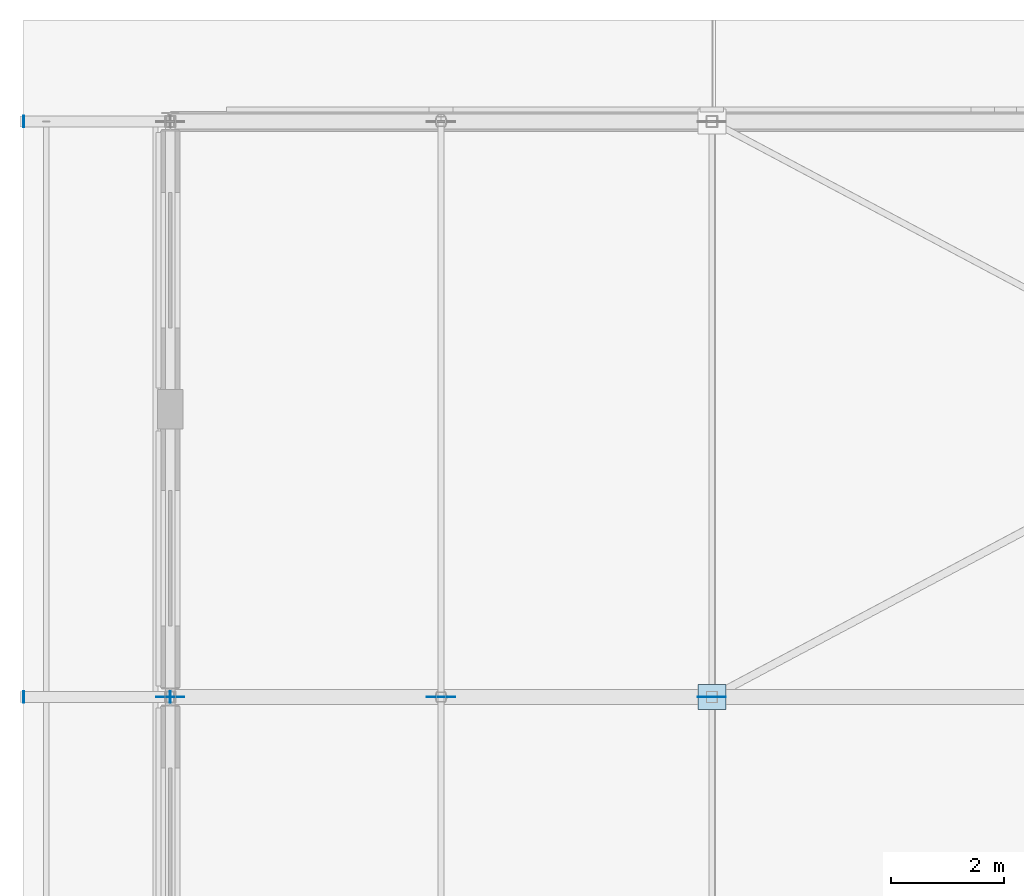
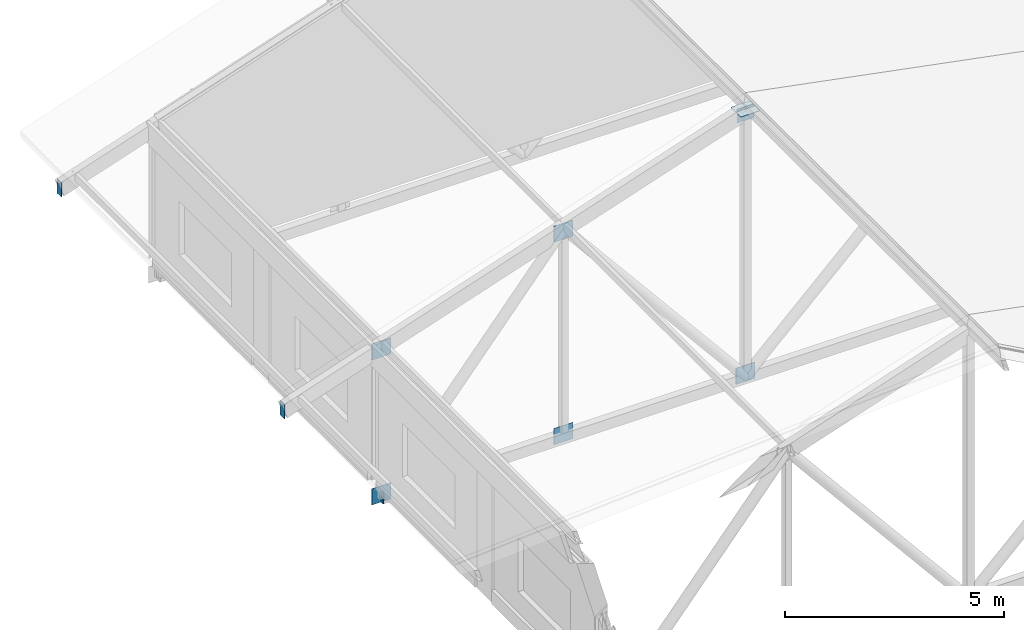
# One storey, part 162 of 200: 10 plates.
"""IFC4 building model written with IfcOpenShell, lengths in metres."""

import ifcopenshell
import ifcopenshell.guid

model = None  # the IFC model being written
_history = None  # IfcOwnerHistory: only IFC2X3 demands one
_inside = {}  # id of a spatial element -> (the spatial element, [elements in it])
_under = {}  # id of a project, library or spatial element -> (it, [spatial elements below it])
_declared = {}  # id of a project -> (the project, [libraries it declares])
_typed = {}  # id of a type object -> (the type object, [elements of that type])
_made_of = {}  # id of a material, layer set ... -> (it, [elements and type objects made of it])


def new_model(schema):
    """Start an empty IFC model of exactly this schema.

    Asked for "IFC4X3", IfcOpenShell would pick the latest addendum, in which some entities
    have other attributes; the version numbers below select the first issue.
    IFC2X3 requires an IfcOwnerHistory on every rooted entity: one is made here for all.
    """
    global model, _history
    if schema == "IFC4X3":
        model = ifcopenshell.file(schema_version=(4, 3, 0, 0))
    else:
        model = ifcopenshell.file(schema=schema)
    _inside.clear()
    _under.clear()
    _declared.clear()
    _typed.clear()
    _made_of.clear()
    _history = None
    if model.schema == "IFC2X3":
        org = make("IfcOrganization", Name="unknown")
        user = make(
            "IfcPersonAndOrganization",
            ThePerson=make("IfcPerson", FamilyName="unknown"),
            TheOrganization=org,
        )
        app = make(
            "IfcApplication",
            ApplicationDeveloper=org,
            Version="unknown",
            ApplicationFullName="unknown",
            ApplicationIdentifier="unknown",
        )
        _history = make(
            "IfcOwnerHistory",
            OwningUser=user,
            OwningApplication=app,
            ChangeAction="ADDED",
            CreationDate=0,
        )
    return model


def make(cls, **values):
    """One entity of the class cls with the attributes given. An attribute that is None is left unset."""
    return model.create_entity(
        cls, **{name: value for name, value in values.items() if value is not None}
    )


def rooted(cls, **values):
    """An entity with a GlobalId (a new one), such as an element, a storey or a relation."""
    return make(cls, GlobalId=ifcopenshell.guid.new(), OwnerHistory=_history, **values)


def si_unit(unit_type, name, prefix=None):
    """IfcSIUnit, for example si_unit("LENGTHUNIT", "METRE", prefix="MILLI")."""
    return make("IfcSIUnit", UnitType=unit_type, Prefix=prefix, Name=name)


def assignment(units):
    """IfcUnitAssignment: the units of a project."""
    return None if units is None else make("IfcUnitAssignment", Units=units)


def point(xyz):
    """IfcCartesianPoint."""
    return None if xyz is None else make("IfcCartesianPoint", Coordinates=xyz)


def direction(xyz):
    """IfcDirection."""
    return None if xyz is None else make("IfcDirection", DirectionRatios=xyz)


def frame(location, z_axis=None, x_axis=None):
    """IfcAxis2Placement3D, a coordinate frame: its origin and axes. An axis left out is left unset."""
    return make(
        "IfcAxis2Placement3D",
        Location=point(location),
        Axis=direction(z_axis),
        RefDirection=direction(x_axis),
    )


def frame_2d(location, x_axis=None):
    """IfcAxis2Placement2D, a coordinate frame in the plane: its origin and x axis."""
    return make(
        "IfcAxis2Placement2D", Location=point(location), RefDirection=direction(x_axis)
    )


def origin():
    """The frame at (0, 0, 0) with its axes left unset."""
    return frame((0.0, 0.0, 0.0))


def origin_2d():
    """The frame at (0, 0) in the plane with its x axis left unset."""
    return frame_2d((0.0, 0.0))


def place(relative_to, where):
    """IfcLocalPlacement: puts the frame where relative to a parent placement (None: the world)."""
    return make(
        "IfcLocalPlacement", PlacementRelTo=relative_to, RelativePlacement=where
    )


def context(
    kind, dimensions, precision=None, world=None, true_north=None, identifier=None
):
    """IfcGeometricRepresentationContext, for example the 3D "Model" context."""
    return make(
        "IfcGeometricRepresentationContext",
        ContextIdentifier=identifier,
        ContextType=kind,
        CoordinateSpaceDimension=dimensions,
        Precision=precision,
        WorldCoordinateSystem=world,
        TrueNorth=true_north,
    )


def subcontext(parent, identifier, kind, view, scale=None):
    """IfcGeometricRepresentationSubContext, for example "Body" below "Model"."""
    return make(
        "IfcGeometricRepresentationSubContext",
        ContextIdentifier=identifier,
        ContextType=kind,
        ParentContext=parent,
        TargetScale=scale,
        TargetView=view,
    )


def project(units=None, contexts=None):
    """IfcProject with its units and contexts."""
    return rooted(
        "IfcProject",
        Name="project",
        RepresentationContexts=contexts,
        UnitsInContext=assignment(units),
    )


def spatial(cls, under=None, at=None, **own):
    """A site, building, storey or space (cls), placed at a placement, below another one or the project."""
    s = rooted(cls, ObjectPlacement=at, **own)
    if under is not None:
        _under.setdefault(under.id(), (under, []))[1].append(s)
    return s


def profile(cls, at=None, kind="AREA", **sizes):
    """A parametric profile (cls). Its sizes go by their IFC names, for example OverallWidth=200.0."""
    return make(cls, ProfileType=kind, Position=at, **sizes)


def rectangle(**sizes):
    """IfcRectangleProfileDef."""
    return profile("IfcRectangleProfileDef", **sizes)


def extrude(swept, where, along, depth):
    """IfcExtrudedAreaSolid: the profile swept, set in the frame where, extruded along a direction by depth."""
    return make(
        "IfcExtrudedAreaSolid",
        SweptArea=swept,
        Position=where,
        ExtrudedDirection=direction(along),
        Depth=depth,
    )


def shape(context_of_items, identifier, shape_type, items):
    """IfcShapeRepresentation: the items that make up one representation, for example the "Body"."""
    return make(
        "IfcShapeRepresentation",
        ContextOfItems=context_of_items,
        RepresentationIdentifier=identifier,
        RepresentationType=shape_type,
        Items=items,
    )


def material(Name=None, Category=None):
    """IfcMaterial."""
    return make("IfcMaterial", Name=Name, Category=Category)


def layer(
    of_material, thickness, ventilated=None, Name=None, Category=None, Priority=None
):
    """IfcMaterialLayer: one layer of a wall or slab, of a material (None: an air gap)."""
    return make(
        "IfcMaterialLayer",
        Material=of_material,
        LayerThickness=thickness,
        IsVentilated=ventilated,
        Name=Name,
        Category=Category,
        Priority=Priority,
    )


def layer_set(layers, Name=None):
    """IfcMaterialLayerSet."""
    return make("IfcMaterialLayerSet", MaterialLayers=layers, LayerSetName=Name)


def made_of(thing, what):
    """Note that an element or type object is made of a material, layer set ...; save() writes the relation."""
    if what is not None:
        _made_of.setdefault(what.id(), (what, []))[1].append(thing)
    return thing


def type_object(cls, material=None, **own):
    """A type object (cls), such as IfcWallType, which elements share."""
    return made_of(rooted(cls, **own), material)


def element(
    cls,
    number,
    at=None,
    inside=None,
    cuts=None,
    type_object=None,
    material=None,
    context=None,
    identifier="Body",
    shape_type=None,
    held_by="IfcProductDefinitionShape",
    body=None,
    shapes=None,
    **own,
):
    """One element of the class cls, such as IfcWall. Its Tag is "e" and its number.

    at: its placement. inside: the storey or other place that contains it. cuts: it is an
    opening in that element (IfcRelVoidsElement). A single representation is given by context,
    identifier, shape_type and body (its items); several are given by shapes. held_by: the class
    of the entity that holds the representations. save() writes the other relations.
    """
    e = rooted(cls, Tag="e%d" % number, ObjectPlacement=at, **own)
    if body is not None:
        shapes = [shape(context, identifier, shape_type, body)]
    if shapes is not None:
        e.Representation = make(held_by, Representations=shapes)
    if inside is not None:
        _inside.setdefault(inside.id(), (inside, []))[1].append(e)
    if cuts is not None:
        rooted(
            "IfcRelVoidsElement", RelatingBuildingElement=cuts, RelatedOpeningElement=e
        )
    if type_object is not None:
        _typed.setdefault(type_object.id(), (type_object, []))[1].append(e)
    return made_of(e, material)


def aggregate(whole, parts):
    """IfcRelAggregates: a whole, such as a stair, and the parts it consists of."""
    return rooted("IfcRelAggregates", RelatingObject=whole, RelatedObjects=parts)


def save(model, path):
    """Write the relations noted so far, then the file.

    IfcRelAggregates (storeys below a building ...), IfcRelContainedInSpatialStructure (elements
    in a storey), IfcRelDefinesByType, IfcRelAssociatesMaterial and IfcRelDeclares: one each for
    every whole, place, type object, material and project.
    """
    for whole, parts in _under.values():
        aggregate(whole, parts)
    for where, things in _inside.values():
        rooted(
            "IfcRelContainedInSpatialStructure",
            RelatedElements=things,
            RelatingStructure=where,
        )
    for kind, things in _typed.values():
        rooted("IfcRelDefinesByType", RelatedObjects=things, RelatingType=kind)
    for what, things in _made_of.values():
        rooted("IfcRelAssociatesMaterial", RelatedObjects=things, RelatingMaterial=what)
    for by, libraries in _declared.values():
        rooted("IfcRelDeclares", RelatingContext=by, RelatedDefinitions=libraries)
    model.write(path)


model = new_model("IFC4")

# Units and contexts
model_context = context("Model", 3, precision=1e-05, world=origin(), true_north=direction((0.0, 1.0)))
body_context = subcontext(model_context, "Body", "Model", "MODEL_VIEW")
ifc_project = project(units=[si_unit("LENGTHUNIT", "METRE"), si_unit("AREAUNIT", "SQUARE_METRE"), si_unit("VOLUMEUNIT", "CUBIC_METRE"), si_unit("PLANEANGLEUNIT", "RADIAN"), si_unit("MASSUNIT", "GRAM", prefix="KILO")], contexts=[model_context])

# Site, building, storey
site_placement = place(None, origin())
site = spatial("IfcSite", under=ifc_project, at=site_placement, CompositionType="ELEMENT")
building_placement = place(site_placement, origin())
building = spatial("IfcBuilding", under=site, at=building_placement, Name="Vondelvale Polytechnic", CompositionType="ELEMENT")
storey_placement = place(building_placement, frame((0.0, 0.0, 13.800048828125)))
storey = spatial("IfcBuildingStorey", under=building, at=storey_placement, Name="L03", CompositionType="ELEMENT", Elevation=13.800048828125)

# Plates
ifc_material = material(Name="Steel Grade 350 (fy = 340 MPa)", Category="steel")
ifc_layer_1 = layer(ifc_material, 0.01611328125)
ifc_layer_set_1 = layer_set([ifc_layer_1], Name="PLATE-CAP-300x200")
plate_type_1 = type_object("IfcPlateType", Name="PLATE-CAP-300x200", PredefinedType="USERDEFINED", material=ifc_layer_set_1)
plate_1_placement = place(storey_placement, frame((0.0, 112.199951171875, -0.5703125), z_axis=(0.0, 0.0, 1.0), x_axis=(1.0, 0.0, 0.0)))
element("IfcPlate", 1, at=plate_1_placement, inside=storey, type_object=plate_type_1, Name="ROOF TRUSS bottom chord cap plate W", ObjectType="CAP_PLATE", PredefinedType="USERDEFINED", context=body_context, shape_type="SweptSolid", body=[
    extrude(rectangle(XDim=0.01611328125, YDim=0.199951171875, at=origin_2d()), origin(), (0.0, 0.0, 1.0), 0.300048828125),
])
ifc_layer_2 = layer(ifc_material, 0.01611328125)
ifc_layer_set_2 = layer_set([ifc_layer_2], Name="PLATE-CAP-400x200")
plate_type_2 = type_object("IfcPlateType", Name="PLATE-CAP-400x200", PredefinedType="USERDEFINED", material=ifc_layer_set_2)
for number, where, z_axis, x_axis, name in (
    (2, (-2.60009765625, 112.199951171875, 2.71337890625), (0.0, 0.0, 1.0), (1.0, 0.0, 0.0), "ROOF TRUSS hollow end cap plate W"),
    (3, (-2.60009765625, 122.39990234375, 2.71337890625), (0.0, 0.0, 1.0), (1.0, 0.0, 0.0), "ROOF TRUSS hollow end cap plate W"),
):
    element("IfcPlate", number, at=place(storey_placement, frame(where, z_axis=z_axis, x_axis=x_axis)), inside=storey, type_object=plate_type_2, Name=name, ObjectType="CAP_PLATE", PredefinedType="USERDEFINED", context=body_context, shape_type="SweptSolid", body=[
        extrude(rectangle(XDim=0.01611328125, YDim=0.199951171875, at=origin_2d()), origin(), (0.0, 0.0, 1.0), 0.39990234375),
    ])
ifc_layer_3 = layer(ifc_material, 0.01611328125)
ifc_layer_set_3 = layer_set([ifc_layer_3], Name="PLATE-GUSSET-16")
plate_type_3 = type_object("IfcPlateType", Name="PLATE-GUSSET-16", PredefinedType="USERDEFINED", material=ifc_layer_set_3)
for number, where, z_axis, x_axis, name in (
    (4, (0.0, 112.199951171875, 3.47509765625), (0.0, 0.0, 1.0), (1.0, 0.0, 0.0), "ROOF TRUSS top chord gusset node plate 0"),
    (5, (0.0, 112.199951171875, -0.56494140625), (0.0, 0.0, 1.0), (1.0, 0.0, 0.0), "ROOF TRUSS bottom chord gusset node plate 0"),
    (6, (4.800048828125, 112.199951171875, 5.0751953125), (0.0, 0.0, 1.0), (1.0, 0.0, 0.0), "ROOF TRUSS top chord gusset node plate 1"),
    (7, (4.800048828125, 112.199951171875, -0.56494140625), (0.0, 0.0, 1.0), (1.0, 0.0, 0.0), "ROOF TRUSS bottom chord gusset node plate 1"),
    (8, (9.60009765625, 112.199951171875, -0.56494140625), (0.0, 0.0, 1.0), (1.0, 0.0, 0.0), "ROOF TRUSS bottom chord gusset node plate 2"),
):
    element("IfcPlate", number, at=place(storey_placement, frame(where, z_axis=z_axis, x_axis=x_axis)), inside=storey, type_object=plate_type_3, Name=name, ObjectType="GUSSET_PLATE", PredefinedType="USERDEFINED", context=body_context, shape_type="SweptSolid", body=[
        extrude(rectangle(XDim=0.5, YDim=0.01611328125, at=origin_2d()), origin(), (0.0, 0.0, 1.0), 0.449951171875),
    ])
plate_2_placement = place(storey_placement, frame((9.60009765625, 112.199951171875, 7.011962890625), z_axis=(0.0, 0.0, 1.0), x_axis=(1.0, 0.0, 0.0)))
element("IfcPlate", 9, at=plate_2_placement, inside=storey, type_object=plate_type_3, Name="Workshop roof brace end gusset plate 7-1", ObjectType="GUSSET_PLATE", PredefinedType="USERDEFINED", context=body_context, shape_type="SweptSolid", body=[
    extrude(rectangle(XDim=0.5, YDim=0.449951171875, at=origin_2d()), origin(), (0.0, 0.0, 1.0), 0.01611328125),
])
ifc_layer_4 = layer(ifc_material, 0.013916015625)
ifc_layer_set_4 = layer_set([ifc_layer_4], Name="PLATE-GUSSET-G07")
plate_type_4 = type_object("IfcPlateType", Name="PLATE-GUSSET-G07", PredefinedType="USERDEFINED", material=ifc_layer_set_4)
plate_3_placement = place(storey_placement, frame((9.60009765625, 112.199951171875, 6.7099609375), z_axis=(0.0, 0.0, 1.0), x_axis=(1.0, 0.0, 0.0)))
element("IfcPlate", 10, at=plate_3_placement, inside=storey, type_object=plate_type_4, Name="ROOF TRUSS top chord gusset node plate 2", ObjectType="GUSSET_PLATE", PredefinedType="USERDEFINED", context=body_context, shape_type="SweptSolid", body=[
    extrude(rectangle(XDim=0.43994140625, YDim=0.013916015625, at=origin_2d()), origin(), (0.0, 0.0, 1.0), 0.3798828125),
])

save(model, "model.ifc")
